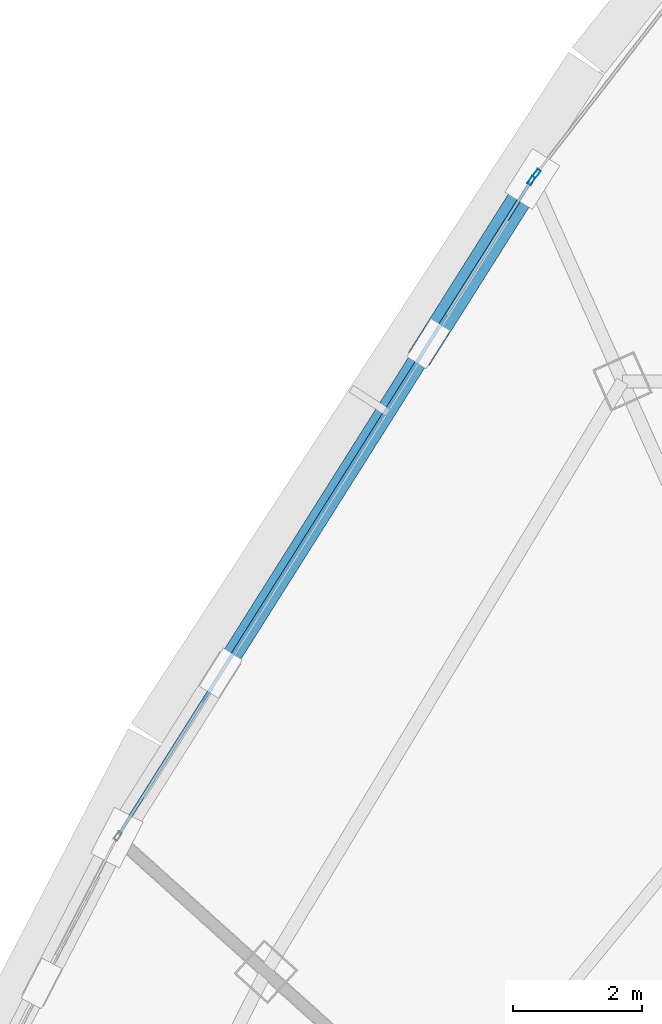
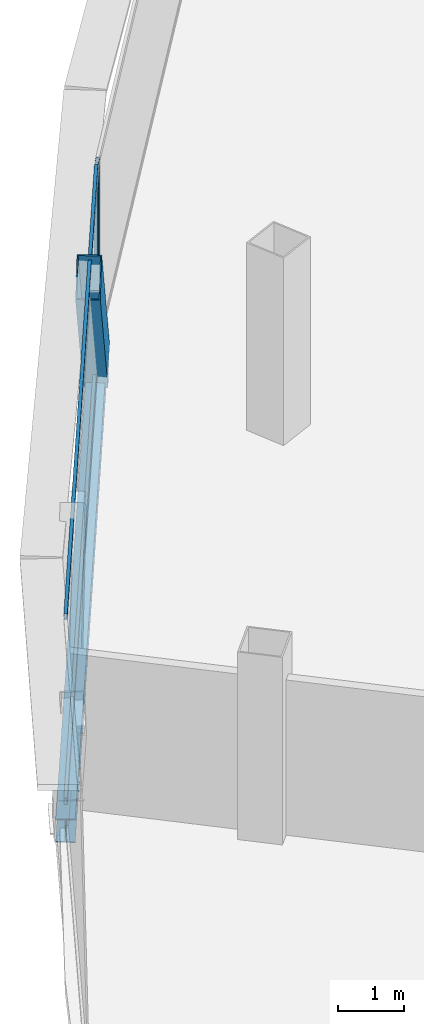
# One storey, part 17 of 28: 5 members, 1 beam, 2 elements without a shape of their own.
"""IFC4 building model written with IfcOpenShell, lengths in metres."""

from ifc_helpers import new_model, si_unit, direction, frame, origin, origin_2d, place, context, subcontext, project, spatial, hollow_rectangle, i_section, extrude, source, transform, mapped, material, layer, layer_set, material_profile, profile_set, type_object, element, aggregate, save


model = new_model("IFC4")

# Units and contexts
model_context = context("Model", 3, precision=1e-05, world=origin(), true_north=direction((0.0, 1.0)))
body_context = subcontext(model_context, "Body", "Model", "MODEL_VIEW")
ifc_project = project(units=[si_unit("LENGTHUNIT", "METRE"), si_unit("AREAUNIT", "SQUARE_METRE"), si_unit("VOLUMEUNIT", "CUBIC_METRE"), si_unit("PLANEANGLEUNIT", "RADIAN"), si_unit("MASSUNIT", "GRAM", prefix="KILO"), si_unit("THERMODYNAMICTEMPERATUREUNIT", "KELVIN"), si_unit("POWERUNIT", "WATT")], contexts=[model_context])

# Site, building, storey
site_placement = place(None, origin())
site = spatial("IfcSite", under=ifc_project, at=site_placement, CompositionType="ELEMENT")
building_placement = place(site_placement, origin())
building = spatial("IfcBuilding", under=site, at=building_placement, Name="Yunzhuo Pagoda Commons", CompositionType="ELEMENT")
storey_placement = place(building_placement, frame((0.0, 0.0, 336.760009765625)))
storey = spatial("IfcBuildingStorey", under=building, at=storey_placement, Name="L84", CompositionType="ELEMENT", Elevation=336.760009765625)

# Beam
ifc_material_1 = material(Name="Structural steel Q355B", Category="steel")
ifc_material_profile_1 = material_profile(ifc_material_1, i_section(OverallWidth=0.300048828125, OverallDepth=0.43994140625, WebThickness=0.010986328125, FlangeThickness=0.01806640625, at=origin_2d()), Name="Structural steel Q355B")
ifc_profile_set_1 = profile_set([ifc_material_profile_1], Name="Structural steel Q355B")
beam_type = type_object("IfcBeamType", Name="B-SP2 Beam HM 440x300x11x18", PredefinedType="BEAM", material=ifc_profile_set_1)
shared_shape_1 = source(origin(), body_context, "Body", "SweptSolid", [
    extrude(i_section(OverallWidth=0.300048828125, OverallDepth=0.43994140625, WebThickness=0.010986328125, FlangeThickness=0.01806640625, at=origin_2d()), origin(), (0.0, 0.0, 1.0), 12.06982421875),
])
beam_placement = place(storey_placement, frame((36.104736328125, 60.4169921875, -0.47998046875), z_axis=(-0.533456357961, -0.845827591268, 0.0), x_axis=(0.845827591268, -0.533456357961, 0.0)))
element("IfcBeam", 1, at=beam_placement, inside=storey, type_object=beam_type, Name="L84 facade edge spandrel beam F3.1", PredefinedType="BEAM", context=body_context, shape_type="MappedRepresentation", body=[
    mapped(shared_shape_1, transform((0.0, 0.0, 0.0), scale=1.0)),
])

# Member
ifc_material_profile_2 = material_profile(ifc_material_1, hollow_rectangle(XDim=0.3798828125, YDim=0.719970703125, WallThickness=0.02001953125, at=origin_2d()), Name="Structural steel Q355B")
ifc_profile_set_2 = profile_set([ifc_material_profile_2], Name="Structural steel Q355B")
member_type_1 = type_object("IfcMemberType", Name="M-DL3 Brace BOX 720x380x20", PredefinedType="BRACE", material=ifc_profile_set_2)
shared_shape_2 = source(origin(), body_context, "Body", "SweptSolid", [
    extrude(hollow_rectangle(XDim=0.3798828125, YDim=0.719970703125, WallThickness=0.02001953125, at=origin_2d()), origin(), (0.0, 0.0, 1.0), 4.813232421875),
])
member_1_placement = place(storey_placement, frame((36.104736328125, 60.4169921875, -0.260009765625), z_axis=(-0.334414499123, -0.530254690404, 0.779100061661), x_axis=(0.845836718076, -0.533441886577, 0.0)))
element("IfcMember", 2, at=member_1_placement, inside=storey, type_object=member_type_1, Name="L84 facade diamond brace F3.1L", PredefinedType="BRACE", context=body_context, shape_type="MappedRepresentation", body=[
    mapped(shared_shape_2, transform((0.0, 0.0, 0.0), scale=1.0)),
])

# Curtain wall, member
ifc_material_2 = material(Name="Anodized aluminium 6063-T6", Category="aluminium")
ifc_layer = layer(ifc_material_2, 0.139892578125)
ifc_layer_set = layer_set([ifc_layer], Name="Anodized aluminium 6063-T6")
curtain_wall_type = type_object("IfcCurtainWallType", Name="CW-HI High-Zone Ribbon Curtain Wall", PredefinedType="NOTDEFINED", material=ifc_layer_set)
curtain_wall_1_placement = place(storey_placement, origin())
curtain_wall_1 = element("IfcCurtainWall", 3, at=curtain_wall_1_placement, inside=storey, type_object=curtain_wall_type, Name="L84 curtain wall CW-L84-F3B2", PredefinedType="NOTDEFINED")
ifc_material_profile_3 = material_profile(ifc_material_2, hollow_rectangle(XDim=0.06005859375, YDim=0.139892578125, WallThickness=0.00341796875, at=origin_2d()), Name="Anodized aluminium 6063-T6")
ifc_profile_set_3 = profile_set([ifc_material_profile_3], Name="Anodized aluminium 6063-T6")
member_type_2 = type_object("IfcMemberType", Name="CW-HI-M Mullion RHS 140x60x3.5", PredefinedType="MULLION", material=ifc_profile_set_3)
shared_shape_3 = source(origin(), body_context, "Body", "SweptSolid", [
    extrude(hollow_rectangle(XDim=0.06005859375, YDim=0.139892578125, WallThickness=0.00341796875, at=origin_2d()), origin(), (0.0, 0.0, 1.0), 3.489990234375),
])
member_2_placement = place(storey_placement, frame((36.0888671875, 60.391845703125, 0.0), z_axis=(0.0, 0.0, 1.0), x_axis=(0.845817518552, -0.533472328532, 0.0)))
member_2 = element("IfcMember", 4, at=member_2_placement, type_object=member_type_2, Name="CW mullion 1", PredefinedType="MULLION", context=body_context, shape_type="MappedRepresentation", body=[
    mapped(shared_shape_3, transform((0.0, 0.0, 0.0), scale=1.0)),
])

curtain_wall_2_placement = place(storey_placement, origin())
curtain_wall_2 = element("IfcCurtainWall", 5, at=curtain_wall_2_placement, inside=storey, type_object=curtain_wall_type, Name="L84 curtain wall CW-L84-F3B1", PredefinedType="NOTDEFINED")
member_3_placement = place(storey_placement, frame((36.16943359375, 60.5, 0.0), z_axis=(0.0, 0.0, 1.0), x_axis=(0.79052744869, -0.612426610189, 0.0)))
member_3 = element("IfcMember", 6, at=member_3_placement, type_object=member_type_2, Name="CW mullion 2", PredefinedType="MULLION", context=body_context, shape_type="MappedRepresentation", body=[
    mapped(shared_shape_3, transform((0.0, 0.0, 0.0), scale=1.0)),
])
aggregate(curtain_wall_2, [member_3])

# Member
ifc_material_profile_4 = material_profile(ifc_material_2, hollow_rectangle(XDim=0.054931640625, YDim=0.1201171875, WallThickness=0.00341796875, at=origin_2d()), Name="Anodized aluminium 6063-T6")
ifc_profile_set_4 = profile_set([ifc_material_profile_4], Name="Anodized aluminium 6063-T6")
member_type_3 = type_object("IfcMemberType", Name="CW-HI-T Transom RHS 120x55x3.5", PredefinedType="USERDEFINED", material=ifc_profile_set_4)
shared_shape_4 = source(origin(), body_context, "Body", "SweptSolid", [
    extrude(hollow_rectangle(XDim=0.054931640625, YDim=0.1201171875, WallThickness=0.00341796875, at=origin_2d()), origin(), (0.0, 0.0, 1.0), 11.9501953125),
])
member_4_placement = place(storey_placement, frame((36.07275390625, 60.366455078125, 0.027587890625), z_axis=(-0.533467130189, -0.845820797219, 0.0), x_axis=(0.845820797219, -0.533467130189, 0.0)))
member_4 = element("IfcMember", 7, at=member_4_placement, type_object=member_type_3, Name="CW transom 1.1", ObjectType="TRANSOM", PredefinedType="USERDEFINED", context=body_context, shape_type="MappedRepresentation", body=[
    mapped(shared_shape_4, transform((0.0, 0.0, 0.0), scale=1.0)),
])

member_5_placement = place(storey_placement, frame((36.07275390625, 60.366455078125, 3.46240234375), z_axis=(-0.533467130189, -0.845820797219, 0.0), x_axis=(0.845820797219, -0.533467130189, 0.0)))
member_5 = element("IfcMember", 8, at=member_5_placement, type_object=member_type_3, Name="CW transom 1.2", ObjectType="TRANSOM", PredefinedType="USERDEFINED", context=body_context, shape_type="MappedRepresentation", body=[
    mapped(shared_shape_4, transform((0.0, 0.0, 0.0), scale=1.0)),
])

aggregate(curtain_wall_1, [member_2, member_4, member_5])

save(model, "model.ifc")
